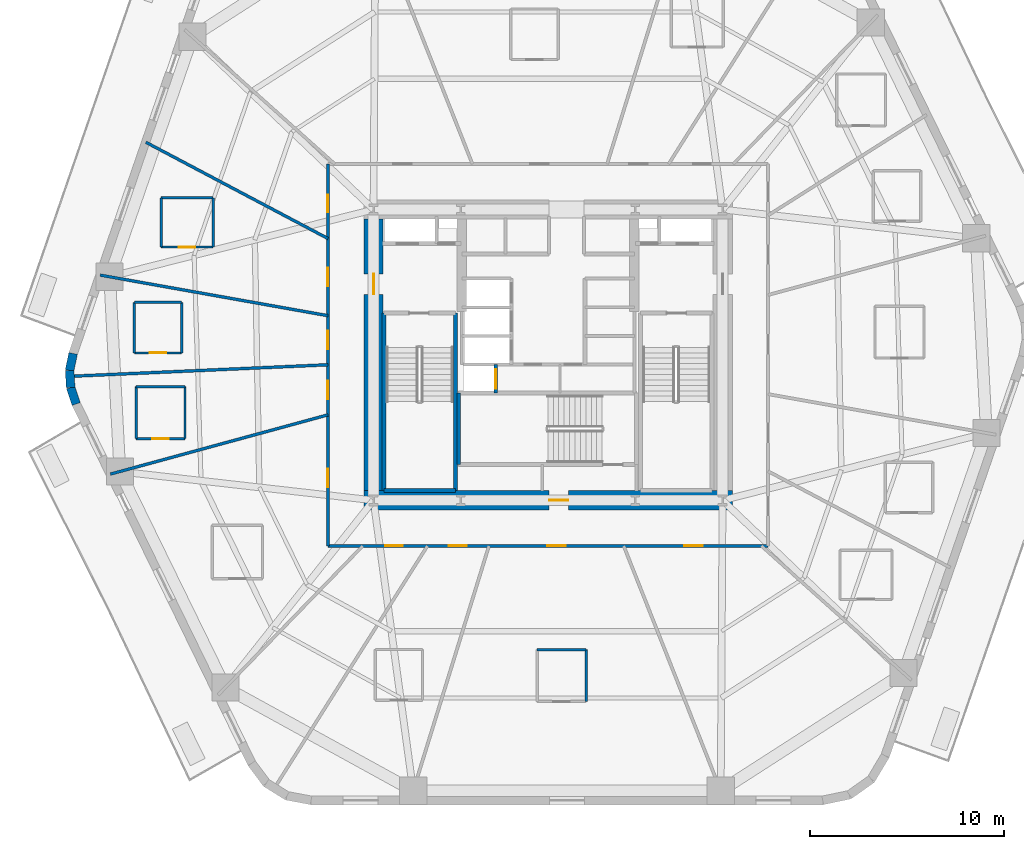
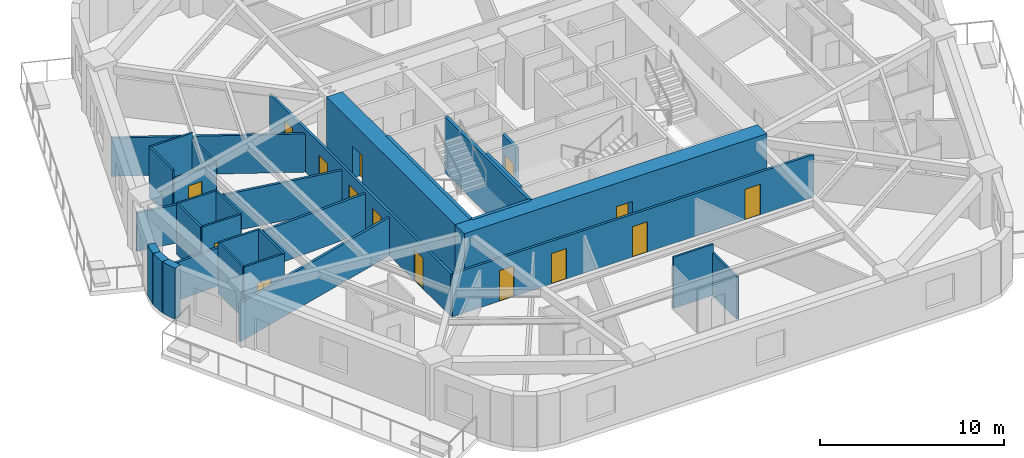
# One storey, part 3 of 10: 30 walls, 15 doors, 15 openings.
"""IFC4 building model written with IfcOpenShell, lengths in metres."""

from ifc_helpers import new_model, si_unit, direction, frame, frame_2d, origin, place, context, subcontext, project, spatial, rectangle, extrude, material, layer, layer_set, type_object, element, fill, save


model = new_model("IFC4")

# Units and contexts
model_context = context("Model", 3, precision=1e-05, world=origin(), true_north=direction((0.0, 1.0)))
body_context = subcontext(model_context, "Body", "Model", "MODEL_VIEW")
ifc_project = project(units=[si_unit("LENGTHUNIT", "METRE"), si_unit("AREAUNIT", "SQUARE_METRE"), si_unit("VOLUMEUNIT", "CUBIC_METRE"), si_unit("PLANEANGLEUNIT", "RADIAN"), si_unit("MASSUNIT", "GRAM", prefix="KILO")], contexts=[model_context])

# Site, building, storey
site_placement = place(None, origin())
site = spatial("IfcSite", under=ifc_project, at=site_placement, CompositionType="ELEMENT")
building_placement = place(site_placement, origin())
building = spatial("IfcBuilding", under=site, at=building_placement, Name="Kilnhurst Terrace Hotel", CompositionType="ELEMENT")
storey_placement = place(building_placement, frame((0.0, 0.0, 78.60009765625)))
storey = spatial("IfcBuildingStorey", under=building, at=storey_placement, Name="L18", CompositionType="ELEMENT", Elevation=78.60009765625)

# Walls
ifc_material_1 = material(Name="Precast concrete C40/50", Category="concrete")
ifc_layer_1 = layer(ifc_material_1, 0.449951171875, Name="Precast concrete C40/50")
ifc_layer_set_1 = layer_set([ifc_layer_1], Name="Precast concrete C40/50")
wall_type_1 = type_object("IfcWallType", Name="WL-BRK-450", PredefinedType="SOLIDWALL", material=ifc_layer_set_1)
wall_1_placement = place(storey_placement, frame((-24.49560546875, 0.07666015625, 0.0), z_axis=(0.0, 0.0, 1.0), x_axis=(-0.199570594521, -0.979883451132, 0.0)))
element("IfcWall", 1, at=wall_1_placement, inside=storey, type_object=wall_type_1, Name="L18 Rounded Corner Brick Wall C6.1", PredefinedType="SOLIDWALL", context=body_context, shape_type="SweptSolid", body=[
    extrude(rectangle(XDim=0.896728515625, YDim=0.449951171875, at=frame_2d((0.4482421875, 0.0))), origin(), (0.0, 0.0, 1.0), 3.39990234375),
])
wall_2_placement = place(storey_placement, frame((-24.674560546875, -0.802001953125, 0.0), z_axis=(0.0, 0.0, 1.0), x_axis=(0.061188874166, -0.998126205286, 0.0)))
element("IfcWall", 2, at=wall_2_placement, inside=storey, type_object=wall_type_1, Name="L18 Rounded Corner Brick Wall C6.2", PredefinedType="SOLIDWALL", context=body_context, shape_type="SweptSolid", body=[
    extrude(rectangle(XDim=0.8818359375, YDim=0.449951171875, at=frame_2d((0.44091796875, 0.0))), origin(), (0.0, 0.0, 1.0), 3.39990234375),
])
wall_3_placement = place(storey_placement, frame((-24.62060546875, -1.68212890625, 0.0), z_axis=(0.0, 0.0, 1.0), x_axis=(0.317697451681, -0.948192137278, 0.0)))
element("IfcWall", 3, at=wall_3_placement, inside=storey, type_object=wall_type_1, Name="L18 Rounded Corner Brick Wall C6.3", PredefinedType="SOLIDWALL", context=body_context, shape_type="SweptSolid", body=[
    extrude(rectangle(XDim=0.896728515625, YDim=0.449951171875, at=frame_2d((0.4482421875, 0.0))), origin(), (0.0, 0.0, 1.0), 3.39990234375),
])

# Wall, openings, doors
ifc_material_2 = material(Name="Acoustic Double-Gypsum Corridor Partition Assembly")
ifc_layer_2 = layer(ifc_material_2, 0.14990234375, Name="Acoustic Double-Gypsum Corridor Partition Assembly")
ifc_layer_set_2 = layer_set([ifc_layer_2], Name="Acoustic Double-Gypsum Corridor Partition Assembly")
wall_type_2 = type_object("IfcWallType", Name="WL-COR-150", PredefinedType="PARTITIONING", material=ifc_layer_set_2)
wall_4_placement = place(storey_placement, frame((-11.35009765625, -9.85009765625, 0.0), z_axis=(0.0, 0.0, 1.0), x_axis=(0.0, 1.0, 0.0)))
wall_4 = element("IfcWall", 4, at=wall_4_placement, inside=storey, type_object=wall_type_2, Name="L18 Interior Wall WL-L18-COR-01", PredefinedType="PARTITIONING", context=body_context, shape_type="SweptSolid", body=[
    extrude(rectangle(XDim=19.7001953125, YDim=0.14990234375, at=frame_2d((9.85009765625, 0.0))), origin(), (0.0, 0.0, 1.0), 2.83984375),
])
opening_1_placement = place(wall_4_placement, frame((17.2060546875, 0.0, 0.0)))
opening_1 = element("IfcOpeningElement", 5, at=opening_1_placement, cuts=wall_4, Name="Opening D-60C", PredefinedType="OPENING", context=body_context, shape_type="SweptSolid", body=[
    extrude(rectangle(XDim=0.89990234375, YDim=2.030029296875, at=frame_2d((0.449951171875, 1.01513671875))), frame((0.0, 0.0849609375, 0.0), z_axis=(0.0, -1.0, 0.0), x_axis=(1.0, 0.0, 0.0)), (0.0, 0.0, 1.0), 0.169921875),
])
opening_2_placement = place(wall_4_placement, frame((13.403076171875, 0.0, 0.0)))
opening_2 = element("IfcOpeningElement", 6, at=opening_2_placement, cuts=wall_4, Name="Opening D-60B", PredefinedType="OPENING", context=body_context, shape_type="SweptSolid", body=[
    extrude(rectangle(XDim=0.949951171875, YDim=2.030029296875, at=frame_2d((0.47509765625, 1.01513671875))), frame((0.0, 0.0849609375, 0.0), z_axis=(0.0, -1.0, 0.0), x_axis=(1.0, 0.0, 0.0)), (0.0, 0.0, 1.0), 0.169921875),
])
opening_3_placement = place(wall_4_placement, frame((10.134033203125, 0.0, 0.0)))
opening_3 = element("IfcOpeningElement", 7, at=opening_3_placement, cuts=wall_4, Name="Opening D-60B", PredefinedType="OPENING", context=body_context, shape_type="SweptSolid", body=[
    extrude(rectangle(XDim=0.949951171875, YDim=2.030029296875, at=frame_2d((0.47509765625, 1.01513671875))), frame((0.0, 0.0849609375, 0.0), z_axis=(0.0, -1.0, 0.0), x_axis=(1.0, 0.0, 0.0)), (0.0, 0.0, 1.0), 0.169921875),
])
opening_4_placement = place(wall_4_placement, frame((7.571044921875, 0.0, 0.0)))
opening_4 = element("IfcOpeningElement", 8, at=opening_4_placement, cuts=wall_4, Name="Opening D-60B", PredefinedType="OPENING", context=body_context, shape_type="SweptSolid", body=[
    extrude(rectangle(XDim=0.949951171875, YDim=2.030029296875, at=frame_2d((0.47509765625, 1.01513671875))), frame((0.0, 0.0849609375, 0.0), z_axis=(0.0, -1.0, 0.0), x_axis=(1.0, 0.0, 0.0)), (0.0, 0.0, 1.0), 0.169921875),
])
opening_5_placement = place(wall_4_placement, frame((3.02392578125, 0.0, 0.0)))
opening_5 = element("IfcOpeningElement", 9, at=opening_5_placement, cuts=wall_4, Name="Opening D-60B", PredefinedType="OPENING", context=body_context, shape_type="SweptSolid", body=[
    extrude(rectangle(XDim=0.949951171875, YDim=2.030029296875, at=frame_2d((0.47509765625, 1.01513671875))), frame((0.0, 0.0849609375, 0.0), z_axis=(0.0, -1.0, 0.0), x_axis=(1.0, 0.0, 0.0)), (0.0, 0.0, 1.0), 0.169921875),
])
ifc_material_3 = material(Name="Painted Solid-Core Service Fire Door")
door_type_1 = type_object("IfcDoorType", Name="DR-FD60-900", OperationType="NOTDEFINED", PredefinedType="DOOR", material=ifc_material_3)
door_1_placement = place(opening_1_placement, origin())
door_1 = element("IfcDoor", 10, at=door_1_placement, inside=storey, type_object=door_type_1, Name="L18 Executive Work Office Door 7", OperationType="SINGLE_SWING_LEFT", OverallHeight=2.030029296875, OverallWidth=0.89990234375, PredefinedType="DOOR", context=body_context, shape_type="SweptSolid", body=[
    extrude(rectangle(XDim=0.89990234375, YDim=2.030029296875, at=frame_2d((0.449951171875, 1.01513671875))), frame((0.0, 0.02490234375, 0.0), z_axis=(0.0, -1.0, 0.0), x_axis=(1.0, 0.0, 0.0)), (0.0, 0.0, 1.0), 0.050048828125),
])
fill(opening_1, door_1)
ifc_material_4 = material(Name="Acoustic Walnut Veneer Solid-Core Fire Door")
door_type_2 = type_object("IfcDoorType", Name="DR-FD60-950", OperationType="NOTDEFINED", PredefinedType="DOOR", material=ifc_material_4)
door_2_placement = place(opening_2_placement, origin())
door_2 = element("IfcDoor", 11, at=door_2_placement, inside=storey, type_object=door_type_2, Name="L18 Guest Room Entry Door 8", OperationType="SINGLE_SWING_RIGHT", OverallHeight=2.030029296875, OverallWidth=0.949951171875, PredefinedType="DOOR", context=body_context, shape_type="SweptSolid", body=[
    extrude(rectangle(XDim=0.949951171875, YDim=2.030029296875, at=frame_2d((0.47509765625, 1.01513671875))), frame((0.0, 0.02490234375, 0.0), z_axis=(0.0, -1.0, 0.0), x_axis=(1.0, 0.0, 0.0)), (0.0, 0.0, 1.0), 0.050048828125),
])
fill(opening_2, door_2)
door_3_placement = place(opening_3_placement, origin())
door_3 = element("IfcDoor", 12, at=door_3_placement, inside=storey, type_object=door_type_2, Name="L18 Guest Room Entry Door 9", OperationType="SINGLE_SWING_LEFT", OverallHeight=2.030029296875, OverallWidth=0.949951171875, PredefinedType="DOOR", context=body_context, shape_type="SweptSolid", body=[
    extrude(rectangle(XDim=0.949951171875, YDim=2.030029296875, at=frame_2d((0.47509765625, 1.01513671875))), frame((0.0, 0.02490234375, 0.0), z_axis=(0.0, -1.0, 0.0), x_axis=(1.0, 0.0, 0.0)), (0.0, 0.0, 1.0), 0.050048828125),
])
fill(opening_3, door_3)
door_4_placement = place(opening_4_placement, origin())
door_4 = element("IfcDoor", 13, at=door_4_placement, inside=storey, type_object=door_type_2, Name="L18 Guest Room Entry Door 10", OperationType="SINGLE_SWING_RIGHT", OverallHeight=2.030029296875, OverallWidth=0.949951171875, PredefinedType="DOOR", context=body_context, shape_type="SweptSolid", body=[
    extrude(rectangle(XDim=0.949951171875, YDim=2.030029296875, at=frame_2d((0.47509765625, 1.01513671875))), frame((0.0, 0.02490234375, 0.0), z_axis=(0.0, -1.0, 0.0), x_axis=(1.0, 0.0, 0.0)), (0.0, 0.0, 1.0), 0.050048828125),
])
fill(opening_4, door_4)
door_5_placement = place(opening_5_placement, origin())
door_5 = element("IfcDoor", 14, at=door_5_placement, inside=storey, type_object=door_type_2, Name="L18 Executive Suite Entry Door 11", OperationType="SINGLE_SWING_LEFT", OverallHeight=2.030029296875, OverallWidth=0.949951171875, PredefinedType="DOOR", context=body_context, shape_type="SweptSolid", body=[
    extrude(rectangle(XDim=0.949951171875, YDim=2.030029296875, at=frame_2d((0.47509765625, 1.01513671875))), frame((0.0, 0.02490234375, 0.0), z_axis=(0.0, -1.0, 0.0), x_axis=(1.0, 0.0, 0.0)), (0.0, 0.0, 1.0), 0.050048828125),
])
fill(opening_5, door_5)

wall_5_placement = place(storey_placement, frame((11.35009765625, -9.85009765625, 0.0), z_axis=(0.0, 0.0, 1.0), x_axis=(-1.0, 0.0, 0.0)))
wall_5 = element("IfcWall", 15, at=wall_5_placement, inside=storey, type_object=wall_type_2, Name="L18 Interior Wall WL-L18-COR-04", PredefinedType="PARTITIONING", context=body_context, shape_type="SweptSolid", body=[
    extrude(rectangle(XDim=22.7001953125, YDim=0.14990234375, at=frame_2d((11.35009765625, 0.0))), origin(), (0.0, 0.0, 1.0), 2.83984375),
])
opening_6_placement = place(wall_5_placement, frame((18.8369140625, 0.0, 0.0)))
opening_6 = element("IfcOpeningElement", 16, at=opening_6_placement, cuts=wall_5, Name="Opening D-60C", PredefinedType="OPENING", context=body_context, shape_type="SweptSolid", body=[
    extrude(rectangle(XDim=0.89990234375, YDim=2.030029296875, at=frame_2d((0.449951171875, 1.01513671875))), frame((0.0, 0.0849609375, 0.0), z_axis=(0.0, -1.0, 0.0), x_axis=(1.0, 0.0, 0.0)), (0.0, 0.0, 1.0), 0.169921875),
])
opening_7_placement = place(wall_5_placement, frame((15.531982421875, 0.0, 0.0)))
opening_7 = element("IfcOpeningElement", 17, at=opening_7_placement, cuts=wall_5, Name="Opening D-60B", PredefinedType="OPENING", context=body_context, shape_type="SweptSolid", body=[
    extrude(rectangle(XDim=0.949951171875, YDim=2.030029296875, at=frame_2d((0.47509765625, 1.01513671875))), frame((0.0, 0.0849609375, 0.0), z_axis=(0.0, -1.0, 0.0), x_axis=(1.0, 0.0, 0.0)), (0.0, 0.0, 1.0), 0.169921875),
])
opening_8_placement = place(wall_5_placement, frame((10.444091796875, 0.0, 0.0)))
opening_8 = element("IfcOpeningElement", 18, at=opening_8_placement, cuts=wall_5, Name="Opening D-60B", PredefinedType="OPENING", context=body_context, shape_type="SweptSolid", body=[
    extrude(rectangle(XDim=0.949951171875, YDim=2.030029296875, at=frame_2d((0.47509765625, 1.01513671875))), frame((0.0, 0.0849609375, 0.0), z_axis=(0.0, -1.0, 0.0), x_axis=(1.0, 0.0, 0.0)), (0.0, 0.0, 1.0), 0.169921875),
])
opening_9_placement = place(wall_5_placement, frame((3.368896484375, 0.0, 0.0)))
opening_9 = element("IfcOpeningElement", 19, at=opening_9_placement, cuts=wall_5, Name="Opening D-60B", PredefinedType="OPENING", context=body_context, shape_type="SweptSolid", body=[
    extrude(rectangle(XDim=0.949951171875, YDim=2.030029296875, at=frame_2d((0.47509765625, 1.01513671875))), frame((0.0, 0.0849609375, 0.0), z_axis=(0.0, -1.0, 0.0), x_axis=(1.0, 0.0, 0.0)), (0.0, 0.0, 1.0), 0.169921875),
])
door_6_placement = place(opening_6_placement, origin())
door_6 = element("IfcDoor", 20, at=door_6_placement, inside=storey, type_object=door_type_1, Name="L18 Botanical Reading Lounge Door 12", OperationType="SINGLE_SWING_RIGHT", OverallHeight=2.030029296875, OverallWidth=0.89990234375, PredefinedType="DOOR", context=body_context, shape_type="SweptSolid", body=[
    extrude(rectangle(XDim=0.89990234375, YDim=2.030029296875, at=frame_2d((0.449951171875, 1.01513671875))), frame((0.0, 0.02490234375, 0.0), z_axis=(0.0, -1.0, 0.0), x_axis=(1.0, 0.0, 0.0)), (0.0, 0.0, 1.0), 0.050048828125),
])
fill(opening_6, door_6)
door_7_placement = place(opening_7_placement, origin())
door_7 = element("IfcDoor", 21, at=door_7_placement, inside=storey, type_object=door_type_2, Name="L18 Guest Room Entry Door 13", OperationType="SINGLE_SWING_LEFT", OverallHeight=2.030029296875, OverallWidth=0.949951171875, PredefinedType="DOOR", context=body_context, shape_type="SweptSolid", body=[
    extrude(rectangle(XDim=0.949951171875, YDim=2.030029296875, at=frame_2d((0.47509765625, 1.01513671875))), frame((0.0, 0.02490234375, 0.0), z_axis=(0.0, -1.0, 0.0), x_axis=(1.0, 0.0, 0.0)), (0.0, 0.0, 1.0), 0.050048828125),
])
fill(opening_7, door_7)
door_8_placement = place(opening_8_placement, origin())
door_8 = element("IfcDoor", 22, at=door_8_placement, inside=storey, type_object=door_type_2, Name="L18 Executive Suite Entry Door 14", OperationType="SINGLE_SWING_RIGHT", OverallHeight=2.030029296875, OverallWidth=0.949951171875, PredefinedType="DOOR", context=body_context, shape_type="SweptSolid", body=[
    extrude(rectangle(XDim=0.949951171875, YDim=2.030029296875, at=frame_2d((0.47509765625, 1.01513671875))), frame((0.0, 0.02490234375, 0.0), z_axis=(0.0, -1.0, 0.0), x_axis=(1.0, 0.0, 0.0)), (0.0, 0.0, 1.0), 0.050048828125),
])
fill(opening_8, door_8)
door_9_placement = place(opening_9_placement, origin())
door_9 = element("IfcDoor", 23, at=door_9_placement, inside=storey, type_object=door_type_2, Name="L18 Executive Meeting Room Door", OperationType="SINGLE_SWING_LEFT", OverallHeight=2.030029296875, OverallWidth=0.949951171875, PredefinedType="DOOR", context=body_context, shape_type="SweptSolid", body=[
    extrude(rectangle(XDim=0.949951171875, YDim=2.030029296875, at=frame_2d((0.47509765625, 1.01513671875))), frame((0.0, 0.02490234375, 0.0), z_axis=(0.0, -1.0, 0.0), x_axis=(1.0, 0.0, 0.0)), (0.0, 0.0, 1.0), 0.050048828125),
])
fill(opening_9, door_9)

# Wall, opening, door
ifc_material_5 = material(Name="Concrete C80/95", Category="concrete")
ifc_layer_3 = layer(ifc_material_5, 1.0, Name="Concrete C80/95")
ifc_layer_set_3 = layer_set([ifc_layer_3], Name="Concrete C80/95")
wall_type_3 = type_object("IfcWallType", Name="WL-CORE-1000", PredefinedType="SHEAR", material=ifc_layer_set_3)
wall_6_placement = place(storey_placement, frame((-9.5, -7.5, 0.0), z_axis=(0.0, 0.0, 1.0), x_axis=(1.0, 0.0, 0.0)))
wall_6 = element("IfcWall", 24, at=wall_6_placement, inside=storey, type_object=wall_type_3, Name="L18 Core South Shear Wall", PredefinedType="SHEAR", context=body_context, shape_type="SweptSolid", body=[
    extrude(rectangle(XDim=19.0, YDim=1.0, at=frame_2d((9.5, 0.0))), origin(), (0.0, 0.0, 1.0), 3.699951171875),
])
opening_10_placement = place(wall_6_placement, frame((9.550048828125, 0.0, 0.0)))
opening_10 = element("IfcOpeningElement", 25, at=opening_10_placement, cuts=wall_6, Name="Opening D-90B", PredefinedType="OPENING", context=body_context, shape_type="SweptSolid", body=[
    extrude(rectangle(XDim=1.0, YDim=2.14990234375, at=frame_2d((0.5, 1.074951171875))), frame((0.0, 0.510009765625, 0.0), z_axis=(0.0, -1.0, 0.0), x_axis=(1.0, 0.0, 0.0)), (0.0, 0.0, 1.0), 1.02001953125),
])
ifc_material_6 = material(Name="Painted Hollow Metal Steel ASTM A36 Fire Door", Category="steel")
door_type_3 = type_object("IfcDoorType", Name="DR-FD90-1000", OperationType="NOTDEFINED", PredefinedType="DOOR", material=ifc_material_6)
door_10_placement = place(opening_10_placement, origin())
door_10 = element("IfcDoor", 26, at=door_10_placement, inside=storey, type_object=door_type_3, Name="L18 Stair ST-3 Corridor Door", OperationType="SINGLE_SWING_RIGHT", OverallHeight=2.14990234375, OverallWidth=1.0, PredefinedType="DOOR", context=body_context, shape_type="SweptSolid", body=[
    extrude(rectangle(XDim=1.0, YDim=2.14990234375, at=frame_2d((0.5, 1.074951171875))), frame((0.0, 0.02490234375, 0.0), z_axis=(0.0, -1.0, 0.0), x_axis=(1.0, 0.0, 0.0)), (0.0, 0.0, 1.0), 0.050048828125),
])
fill(opening_10, door_10)

wall_7_placement = place(storey_placement, frame((-9.0, -7.0, 0.0), z_axis=(0.0, 0.0, 1.0), x_axis=(0.0, 1.0, 0.0)))
wall_7 = element("IfcWall", 27, at=wall_7_placement, inside=storey, type_object=wall_type_3, Name="L18 Core West Shear Wall", PredefinedType="SHEAR", context=body_context, shape_type="SweptSolid", body=[
    extrude(rectangle(XDim=14.0, YDim=1.0, at=frame_2d((7.0, 0.0))), origin(), (0.0, 0.0, 1.0), 3.699951171875),
])
opening_11_placement = place(wall_7_placement, frame((10.125, 0.0, 0.0)))
opening_11 = element("IfcOpeningElement", 28, at=opening_11_placement, cuts=wall_7, Name="Opening D-90A", PredefinedType="OPENING", context=body_context, shape_type="SweptSolid", body=[
    extrude(rectangle(XDim=1.050048828125, YDim=2.14990234375, at=frame_2d((0.52490234375, 1.074951171875))), frame((0.0, 0.510009765625, 0.0), z_axis=(0.0, -1.0, 0.0), x_axis=(1.0, 0.0, 0.0)), (0.0, 0.0, 1.0), 1.02001953125),
])
door_type_4 = type_object("IfcDoorType", Name="DR-FD90-1050", OperationType="NOTDEFINED", PredefinedType="DOOR", material=ifc_material_6)
door_11_placement = place(opening_11_placement, origin())
door_11 = element("IfcDoor", 29, at=door_11_placement, inside=storey, type_object=door_type_4, Name="L18 West Firefighting Lobby Door", OperationType="SINGLE_SWING_RIGHT", OverallHeight=2.14990234375, OverallWidth=1.050048828125, PredefinedType="DOOR", context=body_context, shape_type="SweptSolid", body=[
    extrude(rectangle(XDim=1.050048828125, YDim=2.14990234375, at=frame_2d((0.52490234375, 1.074951171875))), frame((0.0, 0.02490234375, 0.0), z_axis=(0.0, -1.0, 0.0), x_axis=(1.0, 0.0, 0.0)), (0.0, 0.0, 1.0), 0.050048828125),
])
fill(opening_11, door_11)

# Walls
ifc_material_7 = material(Name="STC-58 Acoustic Twin-Frame Guestroom Demising Partition")
ifc_layer_4 = layer(ifc_material_7, 0.14990234375, Name="STC-58 Acoustic Twin-Frame Guestroom Demising Partition")
ifc_layer_set_4 = layer_set([ifc_layer_4], Name="STC-58 Acoustic Twin-Frame Guestroom Demising Partition")
wall_type_4 = type_object("IfcWallType", Name="WL-DEM-150", PredefinedType="PARTITIONING", material=ifc_layer_set_4)
wall_8_placement = place(storey_placement, frame((-11.35009765625, 6.00146484375, 0.0), z_axis=(0.0, 0.0, 1.0), x_axis=(-0.884022077319, 0.467445148453, 0.0)))
element("IfcWall", 30, at=wall_8_placement, inside=storey, type_object=wall_type_4, Name="L18 Interior Wall WL-L18-DEM-MID05-08-1", PredefinedType="PARTITIONING", context=body_context, shape_type="SweptSolid", body=[
    extrude(rectangle(XDim=10.621337890625, YDim=0.14990234375, at=frame_2d((5.310546875, 0.0))), origin(), (0.0, 0.0, 1.0), 2.539794921875),
])
wall_9_placement = place(storey_placement, frame((-11.35009765625, 2.022705078125, 0.0), z_axis=(0.0, 0.0, 1.0), x_axis=(-0.984493741877, 0.17541970301, 0.0)))
element("IfcWall", 31, at=wall_9_placement, inside=storey, type_object=wall_type_4, Name="L18 Interior Wall WL-L18-DEM-COL06-09-1", PredefinedType="PARTITIONING", context=body_context, shape_type="SweptSolid", body=[
    extrude(rectangle(XDim=11.93701171875, YDim=0.14990234375, at=frame_2d((5.968505859375, 0.0))), origin(), (0.0, 0.0, 1.0), 2.539794921875),
])
wall_10_placement = place(storey_placement, frame((-11.35009765625, -0.50830078125, 0.0), z_axis=(0.0, 0.0, 1.0), x_axis=(-0.998998237556, -0.044749540337, 0.0)))
element("IfcWall", 32, at=wall_10_placement, inside=storey, type_object=wall_type_4, Name="L18 Interior Wall WL-L18-DEM-MID06-10-1", PredefinedType="PARTITIONING", context=body_context, shape_type="SweptSolid", body=[
    extrude(rectangle(XDim=13.1591796875, YDim=0.14990234375, at=frame_2d((6.57958984375, 0.0))), origin(), (0.0, 0.0, 1.0), 2.539794921875),
])
wall_11_placement = place(storey_placement, frame((-11.35009765625, -3.0908203125, 0.0), z_axis=(0.0, 0.0, 1.0), x_axis=(-0.964859685283, -0.262765651704, 0.0)))
element("IfcWall", 33, at=wall_11_placement, inside=storey, type_object=wall_type_4, Name="L18 Interior Wall WL-L18-DEM-COL07-11-1", PredefinedType="PARTITIONING", context=body_context, shape_type="SweptSolid", body=[
    extrude(rectangle(XDim=11.62890625, YDim=0.14990234375, at=frame_2d((5.814453125, 0.0))), origin(), (0.0, 0.0, 1.0), 2.539794921875),
])

# Wall, opening, door
ifc_material_8 = material(Name="120 mm Moisture-Resistant Tile-Backed Bathroom Partition")
ifc_layer_5 = layer(ifc_material_8, 0.1201171875, Name="120 mm Moisture-Resistant Tile-Backed Bathroom Partition")
ifc_layer_set_5 = layer_set([ifc_layer_5], Name="120 mm Moisture-Resistant Tile-Backed Bathroom Partition")
wall_type_5 = type_object("IfcWallType", Name="WL-PART-120", PredefinedType="PARTITIONING", material=ifc_layer_set_5)
wall_12_placement = place(storey_placement, frame((-19.9541015625, 5.56298828125, 0.0), z_axis=(0.0, 0.0, 1.0), x_axis=(1.0, 0.0, 0.0)))
wall_12 = element("IfcWall", 34, at=wall_12_placement, inside=storey, type_object=wall_type_5, Name="L18 Interior Wall WL-L18-BTH-08-1", PredefinedType="PARTITIONING", context=body_context, shape_type="SweptSolid", body=[
    extrude(rectangle(XDim=2.68017578125, YDim=0.1201171875, at=frame_2d((1.340087890625, 0.0))), origin(), (0.0, 0.0, 1.0), 2.83984375),
])
opening_12_placement = place(wall_12_placement, frame((0.9150390625, 0.0, 0.0)))
opening_12 = element("IfcOpeningElement", 35, at=opening_12_placement, cuts=wall_12, Name="Opening D-08A", PredefinedType="OPENING", context=body_context, shape_type="SweptSolid", body=[
    extrude(rectangle(XDim=0.85009765625, YDim=2.030029296875, at=frame_2d((0.425048828125, 1.01513671875))), frame((0.0, 0.070068359375, 0.0), z_axis=(0.0, -1.0, 0.0), x_axis=(1.0, 0.0, 0.0)), (0.0, 0.0, 1.0), 0.14013671875),
])
ifc_material_9 = material(Name="Moisture-Resistant Lacquered En-suite Bathroom Door")
door_type_5 = type_object("IfcDoorType", Name="DR-INT-850", OperationType="NOTDEFINED", PredefinedType="DOOR", material=ifc_material_9)
door_12_placement = place(opening_12_placement, origin())
door_12 = element("IfcDoor", 36, at=door_12_placement, inside=storey, type_object=door_type_5, Name="L18 En-suite Bathroom Door 8", OperationType="SINGLE_SWING_LEFT", OverallHeight=2.030029296875, OverallWidth=0.85009765625, PredefinedType="DOOR", context=body_context, shape_type="SweptSolid", body=[
    extrude(rectangle(XDim=0.85009765625, YDim=2.030029296875, at=frame_2d((0.425048828125, 1.01513671875))), frame((0.0, 0.02490234375, 0.0), z_axis=(0.0, -1.0, 0.0), x_axis=(1.0, 0.0, 0.0)), (0.0, 0.0, 1.0), 0.050048828125),
])
fill(opening_12, door_12)

# Walls
wall_13_placement = place(storey_placement, frame((-17.27392578125, 5.56298828125, 0.0), z_axis=(0.0, 0.0, 1.0), x_axis=(0.0, 1.0, 0.0)))
element("IfcWall", 37, at=wall_13_placement, inside=storey, type_object=wall_type_5, Name="L18 Interior Wall WL-L18-BTH-08-2", PredefinedType="PARTITIONING", context=body_context, shape_type="SweptSolid", body=[
    extrude(rectangle(XDim=2.5400390625, YDim=0.1201171875, at=frame_2d((1.27001953125, 0.0))), origin(), (0.0, 0.0, 1.0), 2.97216796875),
])
wall_14_placement = place(storey_placement, frame((-17.27392578125, 8.10302734375, 0.0), z_axis=(0.0, 0.0, 1.0), x_axis=(-1.0, 0.0, 0.0)))
element("IfcWall", 38, at=wall_14_placement, inside=storey, type_object=wall_type_5, Name="L18 Interior Wall WL-L18-BTH-08-3", PredefinedType="PARTITIONING", context=body_context, shape_type="SweptSolid", body=[
    extrude(rectangle(XDim=2.68017578125, YDim=0.1201171875, at=frame_2d((1.340087890625, 0.0))), origin(), (0.0, 0.0, 1.0), 3.39990234375),
])
wall_15_placement = place(storey_placement, frame((-19.9541015625, 8.10302734375, 0.0), z_axis=(0.0, 0.0, 1.0), x_axis=(0.0, -1.0, 0.0)))
element("IfcWall", 39, at=wall_15_placement, inside=storey, type_object=wall_type_5, Name="L18 Interior Wall WL-L18-BTH-08-4", PredefinedType="PARTITIONING", context=body_context, shape_type="SweptSolid", body=[
    extrude(rectangle(XDim=2.5400390625, YDim=0.1201171875, at=frame_2d((1.27001953125, 0.0))), origin(), (0.0, 0.0, 1.0), 3.39990234375),
])

# Wall, opening, door
wall_16_placement = place(storey_placement, frame((-21.333984375, 0.10205078125, 0.0), z_axis=(0.0, 0.0, 1.0), x_axis=(1.0, 0.0, 0.0)))
wall_16 = element("IfcWall", 40, at=wall_16_placement, inside=storey, type_object=wall_type_5, Name="L18 Interior Wall WL-L18-BTH-09-1", PredefinedType="PARTITIONING", context=body_context, shape_type="SweptSolid", body=[
    extrude(rectangle(XDim=2.43994140625, YDim=0.1201171875, at=frame_2d((1.219970703125, 0.0))), origin(), (0.0, 0.0, 1.0), 3.39990234375),
])
opening_13_placement = place(wall_16_placement, frame((0.794921875, 0.0, 0.0)))
opening_13 = element("IfcOpeningElement", 41, at=opening_13_placement, cuts=wall_16, Name="Opening D-08A", PredefinedType="OPENING", context=body_context, shape_type="SweptSolid", body=[
    extrude(rectangle(XDim=0.85009765625, YDim=2.030029296875, at=frame_2d((0.425048828125, 1.01513671875))), frame((0.0, 0.070068359375, 0.0), z_axis=(0.0, -1.0, 0.0), x_axis=(1.0, 0.0, 0.0)), (0.0, 0.0, 1.0), 0.14013671875),
])
door_13_placement = place(opening_13_placement, origin())
door_13 = element("IfcDoor", 42, at=door_13_placement, inside=storey, type_object=door_type_5, Name="L18 En-suite Bathroom Door 9", OperationType="SINGLE_SWING_RIGHT", OverallHeight=2.030029296875, OverallWidth=0.85009765625, PredefinedType="DOOR", context=body_context, shape_type="SweptSolid", body=[
    extrude(rectangle(XDim=0.85009765625, YDim=2.030029296875, at=frame_2d((0.425048828125, 1.01513671875))), frame((0.0, 0.02490234375, 0.0), z_axis=(0.0, -1.0, 0.0), x_axis=(1.0, 0.0, 0.0)), (0.0, 0.0, 1.0), 0.050048828125),
])
fill(opening_13, door_13)

# Walls
wall_17_placement = place(storey_placement, frame((-18.89404296875, 0.10205078125, 0.0), z_axis=(0.0, 0.0, 1.0), x_axis=(0.0, 1.0, 0.0)))
element("IfcWall", 43, at=wall_17_placement, inside=storey, type_object=wall_type_5, Name="L18 Interior Wall WL-L18-BTH-09-2", PredefinedType="PARTITIONING", context=body_context, shape_type="SweptSolid", body=[
    extrude(rectangle(XDim=2.60986328125, YDim=0.1201171875, at=frame_2d((1.304931640625, 0.0))), origin(), (0.0, 0.0, 1.0), 3.39990234375),
])
wall_18_placement = place(storey_placement, frame((-18.89404296875, 2.7119140625, 0.0), z_axis=(0.0, 0.0, 1.0), x_axis=(-1.0, 0.0, 0.0)))
element("IfcWall", 44, at=wall_18_placement, inside=storey, type_object=wall_type_5, Name="L18 Interior Wall WL-L18-BTH-09-3", PredefinedType="PARTITIONING", context=body_context, shape_type="SweptSolid", body=[
    extrude(rectangle(XDim=2.43994140625, YDim=0.1201171875, at=frame_2d((1.219970703125, 0.0))), origin(), (0.0, 0.0, 1.0), 3.39990234375),
])
wall_19_placement = place(storey_placement, frame((-21.333984375, 2.7119140625, 0.0), z_axis=(0.0, 0.0, 1.0), x_axis=(0.0, -1.0, 0.0)))
element("IfcWall", 45, at=wall_19_placement, inside=storey, type_object=wall_type_5, Name="L18 Interior Wall WL-L18-BTH-09-4", PredefinedType="PARTITIONING", context=body_context, shape_type="SweptSolid", body=[
    extrude(rectangle(XDim=2.60986328125, YDim=0.1201171875, at=frame_2d((1.304931640625, 0.0))), origin(), (0.0, 0.0, 1.0), 3.39990234375),
])

# Wall, opening, door
wall_20_placement = place(storey_placement, frame((-21.239990234375, -4.321044921875, 0.0), z_axis=(0.0, 0.0, 1.0), x_axis=(1.0, 0.0, 0.0)))
wall_20 = element("IfcWall", 46, at=wall_20_placement, inside=storey, type_object=wall_type_5, Name="L18 Interior Wall WL-L18-BTH-10-1", PredefinedType="PARTITIONING", context=body_context, shape_type="SweptSolid", body=[
    extrude(rectangle(XDim=2.52001953125, YDim=0.1201171875, at=frame_2d((1.260009765625, 0.0))), origin(), (0.0, 0.0, 1.0), 3.39990234375),
])
opening_14_placement = place(wall_20_placement, frame((0.8349609375, 0.0, 0.0)))
opening_14 = element("IfcOpeningElement", 47, at=opening_14_placement, cuts=wall_20, Name="Opening D-08A", PredefinedType="OPENING", context=body_context, shape_type="SweptSolid", body=[
    extrude(rectangle(XDim=0.85009765625, YDim=2.030029296875, at=frame_2d((0.425048828125, 1.01513671875))), frame((0.0, 0.070068359375, 0.0), z_axis=(0.0, -1.0, 0.0), x_axis=(1.0, 0.0, 0.0)), (0.0, 0.0, 1.0), 0.14013671875),
])
door_14_placement = place(opening_14_placement, origin())
door_14 = element("IfcDoor", 48, at=door_14_placement, inside=storey, type_object=door_type_5, Name="L18 En-suite Bathroom Door 10", OperationType="SINGLE_SWING_LEFT", OverallHeight=2.030029296875, OverallWidth=0.85009765625, PredefinedType="DOOR", context=body_context, shape_type="SweptSolid", body=[
    extrude(rectangle(XDim=0.85009765625, YDim=2.030029296875, at=frame_2d((0.425048828125, 1.01513671875))), frame((0.0, 0.02490234375, 0.0), z_axis=(0.0, -1.0, 0.0), x_axis=(1.0, 0.0, 0.0)), (0.0, 0.0, 1.0), 0.050048828125),
])
fill(opening_14, door_14)

# Walls
wall_21_placement = place(storey_placement, frame((-18.719970703125, -4.321044921875, 0.0), z_axis=(0.0, 0.0, 1.0), x_axis=(0.0, 1.0, 0.0)))
element("IfcWall", 49, at=wall_21_placement, inside=storey, type_object=wall_type_5, Name="L18 Interior Wall WL-L18-BTH-10-2", PredefinedType="PARTITIONING", context=body_context, shape_type="SweptSolid", body=[
    extrude(rectangle(XDim=2.679931640625, YDim=0.1201171875, at=frame_2d((1.33984375, 0.0))), origin(), (0.0, 0.0, 1.0), 3.39990234375),
])
wall_22_placement = place(storey_placement, frame((-18.719970703125, -1.64111328125, 0.0), z_axis=(0.0, 0.0, 1.0), x_axis=(-1.0, 0.0, 0.0)))
element("IfcWall", 50, at=wall_22_placement, inside=storey, type_object=wall_type_5, Name="L18 Interior Wall WL-L18-BTH-10-3", PredefinedType="PARTITIONING", context=body_context, shape_type="SweptSolid", body=[
    extrude(rectangle(XDim=2.52001953125, YDim=0.1201171875, at=frame_2d((1.260009765625, 0.0))), origin(), (0.0, 0.0, 1.0), 3.39990234375),
])
wall_23_placement = place(storey_placement, frame((-21.239990234375, -1.64111328125, 0.0), z_axis=(0.0, 0.0, 1.0), x_axis=(0.0, -1.0, 0.0)))
element("IfcWall", 51, at=wall_23_placement, inside=storey, type_object=wall_type_5, Name="L18 Interior Wall WL-L18-BTH-10-4", PredefinedType="PARTITIONING", context=body_context, shape_type="SweptSolid", body=[
    extrude(rectangle(XDim=2.679931640625, YDim=0.1201171875, at=frame_2d((1.33984375, 0.0))), origin(), (0.0, 0.0, 1.0), 3.39990234375),
])
wall_24_placement = place(storey_placement, frame((1.9619140625, -17.876953125, 0.0), z_axis=(0.0, 0.0, 1.0), x_axis=(0.0, 1.0, 0.0)))
element("IfcWall", 52, at=wall_24_placement, inside=storey, type_object=wall_type_5, Name="L18 Interior Wall WL-L18-BTH-14-2", PredefinedType="PARTITIONING", context=body_context, shape_type="SweptSolid", body=[
    extrude(rectangle(XDim=2.679931640625, YDim=0.1201171875, at=frame_2d((1.33984375, 0.0))), origin(), (0.0, 0.0, 1.0), 2.84033203125),
])
wall_25_placement = place(storey_placement, frame((1.9619140625, -15.197021484375, 0.0), z_axis=(0.0, 0.0, 1.0), x_axis=(-1.0, 0.0, 0.0)))
element("IfcWall", 53, at=wall_25_placement, inside=storey, type_object=wall_type_5, Name="L18 Interior Wall WL-L18-BTH-14-3", PredefinedType="PARTITIONING", context=body_context, shape_type="SweptSolid", body=[
    extrude(rectangle(XDim=2.52001953125, YDim=0.1201171875, at=frame_2d((1.260009765625, 0.0))), origin(), (0.0, 0.0, 1.0), 3.39990234375),
])

# Wall, opening, door
ifc_material_10 = material(Name="Autoclaved Aerated Concrete C30/37 and Gypsum Shaft Assembly", Category="concrete")
ifc_layer_6 = layer(ifc_material_10, 0.199951171875, Name="Autoclaved Aerated Concrete C30/37 and Gypsum Shaft Assembly")
ifc_layer_set_6 = layer_set([ifc_layer_6], Name="Autoclaved Aerated Concrete C30/37 and Gypsum Shaft Assembly")
wall_type_6 = type_object("IfcWallType", Name="WL-SHAFT-200", PredefinedType="PARTITIONING", material=ifc_layer_set_6)
wall_26_placement = place(storey_placement, frame((-2.699951171875, -1.971923828125, 0.0), z_axis=(0.0, 0.0, 1.0), x_axis=(0.0, 1.0, 0.0)))
wall_26 = element("IfcWall", 54, at=wall_26_placement, inside=storey, type_object=wall_type_6, Name="L18 Interior Wall WL-L18-SRV1-E", PredefinedType="PARTITIONING", context=body_context, shape_type="SweptSolid", body=[
    extrude(rectangle(XDim=1.471923828125, YDim=0.199951171875, at=frame_2d((0.73583984375, 0.0))), origin(), (0.0, 0.0, 1.0), 3.39990234375),
])
opening_15_placement = place(wall_26_placement, frame((0.239990234375, 0.0, 0.0)))
opening_15 = element("IfcOpeningElement", 55, at=opening_15_placement, cuts=wall_26, Name="Opening LD-SV", PredefinedType="OPENING", context=body_context, shape_type="SweptSolid", body=[
    extrude(rectangle(XDim=1.0, YDim=2.199951171875, at=frame_2d((0.5, 1.10009765625))), frame((0.0, 0.10986328125, 0.0), z_axis=(0.0, -1.0, 0.0), x_axis=(1.0, 0.0, 0.0)), (0.0, 0.0, 1.0), 0.219970703125),
])
ifc_material_11 = material(Name="Bronze-Anodized Stainless Steel AISI 316L Sliding Door", Category="steel")
door_type_6 = type_object("IfcDoorType", Name="DR-LIFT-1000", OperationType="NOTDEFINED", PredefinedType="DOOR", material=ifc_material_11)
door_15_placement = place(opening_15_placement, origin())
door_15 = element("IfcDoor", 56, at=door_15_placement, inside=storey, type_object=door_type_6, Name="L18 Service Lift SRV-1 Landing Door", OperationType="SLIDING_TO_LEFT", OverallHeight=2.199951171875, OverallWidth=1.0, PredefinedType="DOOR", context=body_context, shape_type="SweptSolid", body=[
    extrude(rectangle(XDim=1.0, YDim=2.199951171875, at=frame_2d((0.5, 1.10009765625))), frame((0.0, 0.02490234375, 0.0), z_axis=(0.0, -1.0, 0.0), x_axis=(1.0, 0.0, 0.0)), (0.0, 0.0, 1.0), 0.050048828125),
])
fill(opening_15, door_15)

# Walls
ifc_material_12 = material(Name="Concrete C50/60", Category="concrete")
ifc_layer_7 = layer(ifc_material_12, 0.199951171875, Name="Concrete C50/60")
ifc_layer_set_7 = layer_set([ifc_layer_7], Name="Concrete C50/60")
wall_type_7 = type_object("IfcWallType", Name="WL-STAIR-RC-200", PredefinedType="SHEAR", material=ifc_layer_set_7)
for number, where, z_axis, x_axis, name in (
    (57, (-8.4580078125, -6.985107421875, 0.0), (0.0, 0.0, 1.0), (0.0, 1.0, 0.0), "L18 Structural Stair Shaft Wall WL-L18-ST1-W"),
    (58, (-4.77197265625, -6.985107421875, 0.0), (0.0, 0.0, 1.0), (0.0, 1.0, 0.0), "L18 Structural Stair Shaft Wall WL-L18-ST1-E"),
):
    element("IfcWall", number, at=place(storey_placement, frame(where, z_axis=z_axis, x_axis=x_axis)), inside=storey, type_object=wall_type_7, Name=name, PredefinedType="SHEAR", context=body_context, shape_type="SweptSolid", body=[
        extrude(rectangle(XDim=9.14306640625, YDim=0.199951171875, at=frame_2d((4.571533203125, 0.0))), origin(), (0.0, 0.0, 1.0), 3.699951171875),
    ])
for number, where, z_axis, x_axis, name in (
    (59, (-8.4580078125, -6.985107421875, 0.0), (0.0, 0.0, 1.0), (1.0, 0.0, 0.0), "L18 Structural Stair Shaft Wall WL-L18-ST1-S"),
    (60, (-4.60791015625, -5.657958984375, 0.0), (0.0, 0.0, 1.0), (0.0, 1.0, 0.0), "L18 Structural Stair Shaft Wall WL-L18-ST3-W"),
):
    element("IfcWall", number, at=place(storey_placement, frame(where, z_axis=z_axis, x_axis=x_axis)), inside=storey, type_object=wall_type_7, Name=name, PredefinedType="SHEAR", context=body_context, shape_type="SweptSolid", body=[
        extrude(rectangle(XDim=3.68603515625, YDim=0.199951171875, at=frame_2d((1.843017578125, 0.0))), origin(), (0.0, 0.0, 1.0), 3.699951171875),
    ])

save(model, "model.ifc")
